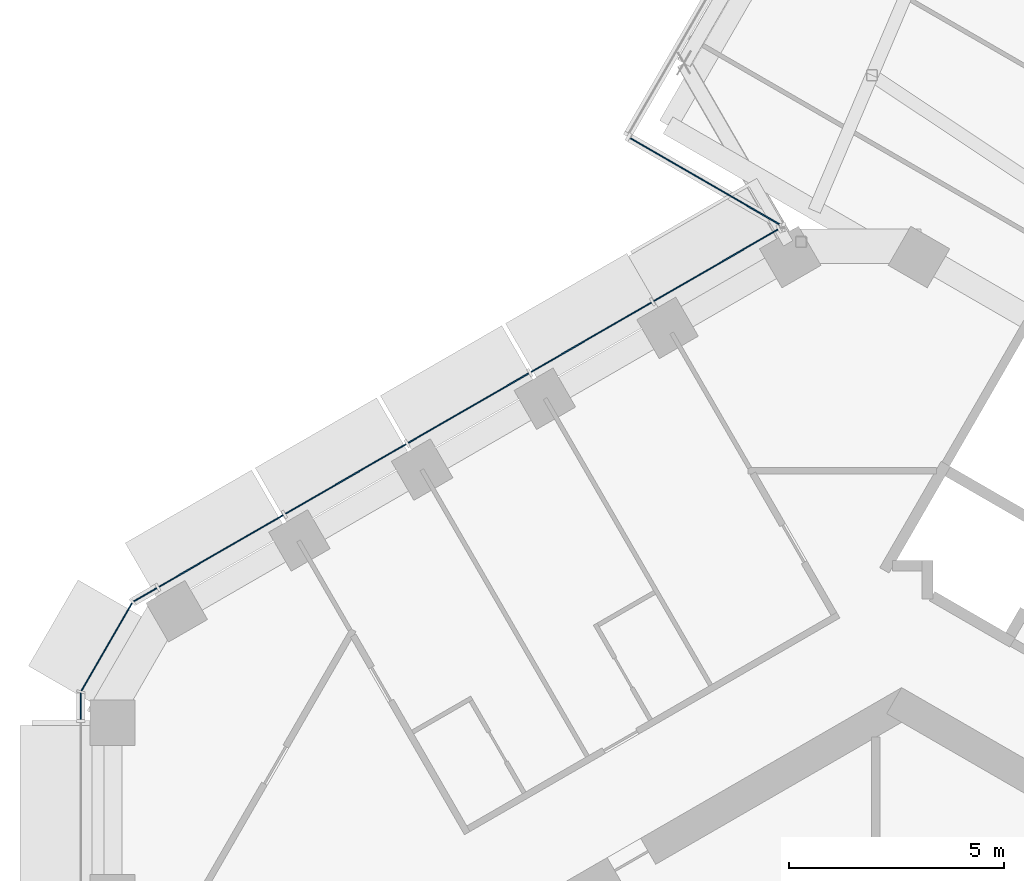
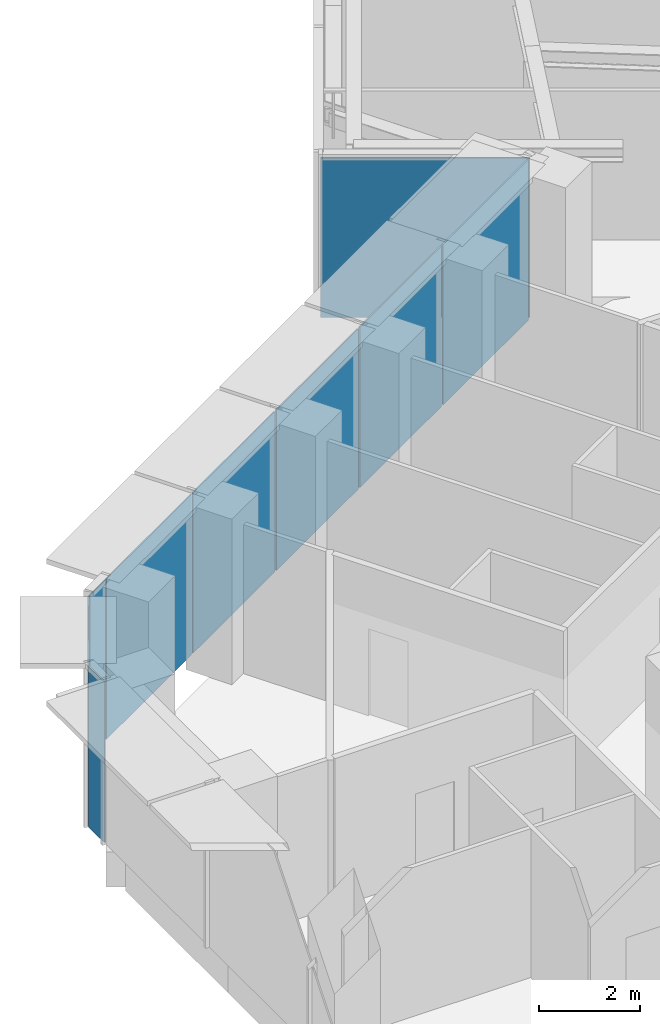
# One storey, part 16 of 28: 9 plates, 3 elements without a shape of their own.
"""IFC4 building model written with IfcOpenShell, lengths in metres."""

from ifc_helpers import new_model, si_unit, direction, frame, origin, origin_2d, place, context, subcontext, project, spatial, rectangle, extrude, material, layer, layer_set, type_object, element, aggregate, save


model = new_model("IFC4")

# Units and contexts
model_context = context("Model", 3, precision=1e-05, world=origin(), true_north=direction((0.0, 1.0)))
body_context = subcontext(model_context, "Body", "Model", "MODEL_VIEW")
ifc_project = project(units=[si_unit("LENGTHUNIT", "METRE"), si_unit("AREAUNIT", "SQUARE_METRE"), si_unit("VOLUMEUNIT", "CUBIC_METRE"), si_unit("PLANEANGLEUNIT", "RADIAN"), si_unit("MASSUNIT", "GRAM", prefix="KILO")], contexts=[model_context])

# Site, building, storey
site_placement = place(None, origin())
site = spatial("IfcSite", under=ifc_project, at=site_placement, CompositionType="ELEMENT")
building_placement = place(site_placement, origin())
building = spatial("IfcBuilding", under=site, at=building_placement, Name="Ayvan Gate Tower", CompositionType="ELEMENT")
storey_placement = place(building_placement, frame((0.0, 0.0, 143.89990234375)))
storey = spatial("IfcBuildingStorey", under=building, at=storey_placement, Name="L38", CompositionType="ELEMENT", Elevation=143.89990234375)

# Curtain wall, plates
ifc_material_1 = material(Name="Bronze anodised aluminium", Category="aluminium")
ifc_layer_1 = layer(ifc_material_1, 0.199951171875)
ifc_layer_set_1 = layer_set([ifc_layer_1], Name="Bronze anodised aluminium")
curtain_wall_type_1 = type_object("IfcCurtainWallType", Name="Stick curtain wall CW-1", PredefinedType="NOTDEFINED", material=ifc_layer_set_1)
curtain_wall_1_placement = place(storey_placement, origin())
curtain_wall_1 = element("IfcCurtainWall", 1, at=curtain_wall_1_placement, inside=storey, type_object=curtain_wall_type_1, Name="Stick curtain wall CW-1 L38", PredefinedType="NOTDEFINED")
ifc_material_2 = material(Name="Clear low-iron laminated glass", Category="glass")
ifc_layer_2 = layer(ifc_material_2, 0.028076171875)
ifc_layer_set_2 = layer_set([ifc_layer_2], Name="Clear low-iron laminated glass")
plate_type_1 = type_object("IfcPlateType", Name="Stick curtain wall CW-1 glass panel", PredefinedType="CURTAIN_PANEL", material=ifc_layer_set_2)
plate_1_placement = place(storey_placement, frame((-4.31787109375, 20.815185546875, 0.000244140625), z_axis=(0.0, 0.0, 1.0), x_axis=(-0.866025403784, -0.5, 0.0)))
plate_1 = element("IfcPlate", 2, at=plate_1_placement, type_object=plate_type_1, Name="CW-1 glass panel 1", PredefinedType="CURTAIN_PANEL", context=body_context, shape_type="SweptSolid", body=[
    extrude(rectangle(XDim=3.373046875, YDim=0.028076171875, at=origin_2d()), origin(), (0.0, 0.0, 1.0), 3.8798828125),
])
plate_2_placement = place(storey_placement, frame((-7.23388671875, 19.1318359375, 0.000244140625), z_axis=(0.0, 0.0, 1.0), x_axis=(-0.866025403784, -0.5, 0.0)))
plate_2 = element("IfcPlate", 3, at=plate_2_placement, type_object=plate_type_1, Name="CW-1 glass panel 2", PredefinedType="CURTAIN_PANEL", context=body_context, shape_type="SweptSolid", body=[
    extrude(rectangle(XDim=3.240966796875, YDim=0.028076171875, at=origin_2d()), origin(), (0.0, 0.0, 1.0), 3.8798828125),
])
plate_3_placement = place(storey_placement, frame((-10.092529296875, 17.481201171875, 0.000244140625), z_axis=(0.0, 0.0, 1.0), x_axis=(-0.866025403784, -0.5, 0.0)))
plate_3 = element("IfcPlate", 4, at=plate_3_placement, type_object=plate_type_1, Name="CW-1 glass panel 3", PredefinedType="CURTAIN_PANEL", context=body_context, shape_type="SweptSolid", body=[
    extrude(rectangle(XDim=3.240966796875, YDim=0.028076171875, at=origin_2d()), origin(), (0.0, 0.0, 1.0), 3.8798828125),
])
plate_4_placement = place(storey_placement, frame((-12.951416015625, 15.830810546875, 0.000244140625), z_axis=(0.0, 0.0, 1.0), x_axis=(-0.866025403784, -0.5, 0.0)))
plate_4 = element("IfcPlate", 5, at=plate_4_placement, type_object=plate_type_1, Name="CW-1 glass panel 4", PredefinedType="CURTAIN_PANEL", context=body_context, shape_type="SweptSolid", body=[
    extrude(rectangle(XDim=3.240966796875, YDim=0.028076171875, at=origin_2d()), origin(), (0.0, 0.0, 1.0), 3.8798828125),
])
plate_5_placement = place(storey_placement, frame((-15.867431640625, 14.147216796875, 0.000244140625), z_axis=(0.0, 0.0, 1.0), x_axis=(-0.866025403784, -0.5, 0.0)))
plate_5 = element("IfcPlate", 6, at=plate_5_placement, type_object=plate_type_1, Name="CW-1 glass panel 5", PredefinedType="CURTAIN_PANEL", context=body_context, shape_type="SweptSolid", body=[
    extrude(rectangle(XDim=3.373291015625, YDim=0.028076171875, at=origin_2d()), origin(), (0.0, 0.0, 1.0), 3.8798828125),
])
aggregate(curtain_wall_1, [plate_1, plate_2, plate_3, plate_4, plate_5])

# Curtain wall, plate
ifc_layer_3 = layer(ifc_material_1, 0.199951171875)
ifc_layer_set_3 = layer_set([ifc_layer_3], Name="Bronze anodised aluminium")
curtain_wall_type_2 = type_object("IfcCurtainWallType", Name="Stick curtain wall CW-4", PredefinedType="NOTDEFINED", material=ifc_layer_set_3)
curtain_wall_2_placement = place(storey_placement, origin())
curtain_wall_2 = element("IfcCurtainWall", 7, at=curtain_wall_2_placement, inside=storey, type_object=curtain_wall_type_2, Name="Stick curtain wall CW-4 L38", PredefinedType="NOTDEFINED")
ifc_material_3 = material(Name="Pale anodised aluminium composite panel", Category="aluminium")
ifc_layer_4 = layer(ifc_material_3, 0.028076171875)
ifc_layer_set_4 = layer_set([ifc_layer_4], Name="Pale anodised aluminium composite panel")
plate_type_2 = type_object("IfcPlateType", Name="Stick curtain wall CW-4 solid panel", PredefinedType="CURTAIN_PANEL", material=ifc_layer_set_4)
plate_6_placement = place(storey_placement, frame((-4.56787109375, 22.757080078125, 0.0), z_axis=(0.0, 0.0, 1.0), x_axis=(0.866025403784, -0.5, 0.0)))
plate_6 = element("IfcPlate", 8, at=plate_6_placement, type_object=plate_type_2, Name="CW-4 solid panel 1", PredefinedType="CURTAIN_PANEL", context=body_context, shape_type="SweptSolid", body=[
    extrude(rectangle(XDim=4.1513671875, YDim=0.028076171875, at=origin_2d()), origin(), (0.0, 0.0, 1.0), 3.860107421875),
])
aggregate(curtain_wall_2, [plate_6])

# Curtain wall, plates
ifc_layer_5 = layer(ifc_material_1, 0.199951171875)
ifc_layer_set_5 = layer_set([ifc_layer_5], Name="Bronze anodised aluminium")
curtain_wall_type_3 = type_object("IfcCurtainWallType", Name="Stick curtain wall CW-6", PredefinedType="NOTDEFINED", material=ifc_layer_set_5)
curtain_wall_3_placement = place(storey_placement, origin())
curtain_wall_3 = element("IfcCurtainWall", 9, at=curtain_wall_3_placement, inside=storey, type_object=curtain_wall_type_3, Name="Stick curtain wall CW-6 L38", PredefinedType="NOTDEFINED")
ifc_layer_6 = layer(ifc_material_2, 0.028076171875)
ifc_layer_set_6 = layer_set([ifc_layer_6], Name="Clear low-iron laminated glass")
plate_type_3 = type_object("IfcPlateType", Name="Stick curtain wall CW-6 glass panel", PredefinedType="CURTAIN_PANEL", material=ifc_layer_set_6)
plate_7_placement = place(storey_placement, frame((-17.624755859375, 13.132568359375, 0.000244140625), z_axis=(0.0, 0.0, 1.0), x_axis=(-0.866025403784, -0.5, 0.0)))
plate_7 = element("IfcPlate", 10, at=plate_7_placement, type_object=plate_type_3, Name="CW-6 glass panel 1", PredefinedType="CURTAIN_PANEL", context=body_context, shape_type="SweptSolid", body=[
    extrude(rectangle(XDim=0.625, YDim=0.028076171875, at=origin_2d()), origin(), (0.0, 0.0, 1.0), 3.8798828125),
])
plate_8_placement = place(storey_placement, frame((-18.520751953125, 11.91845703125, 0.000244140625), z_axis=(0.0, 0.0, 1.0), x_axis=(-0.5, -0.866025403784, 0.0)))
plate_8 = element("IfcPlate", 11, at=plate_8_placement, type_object=plate_type_3, Name="CW-6 glass panel 2", PredefinedType="CURTAIN_PANEL", context=body_context, shape_type="SweptSolid", body=[
    extrude(rectangle(XDim=2.364501953125, YDim=0.028076171875, at=origin_2d()), origin(), (0.0, 0.0, 1.0), 3.8798828125),
])
plate_9_placement = place(storey_placement, frame((-19.124267578125, 10.535400390625, 0.000244140625), z_axis=(0.0, 0.0, 1.0), x_axis=(0.0, -1.0, 0.0)))
plate_9 = element("IfcPlate", 12, at=plate_9_placement, type_object=plate_type_3, Name="CW-6 glass panel 3", PredefinedType="CURTAIN_PANEL", context=body_context, shape_type="SweptSolid", body=[
    extrude(rectangle(XDim=0.625, YDim=0.028076171875, at=origin_2d()), origin(), (0.0, 0.0, 1.0), 3.8798828125),
])
aggregate(curtain_wall_3, [plate_7, plate_8, plate_9])

save(model, "model.ifc")
